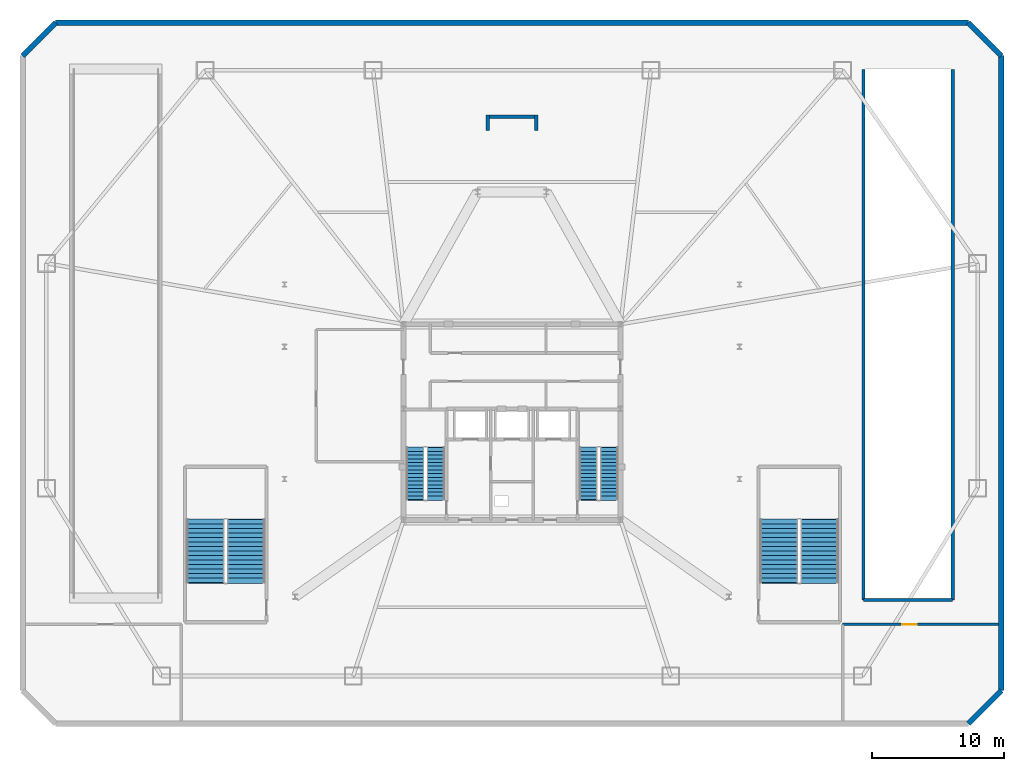
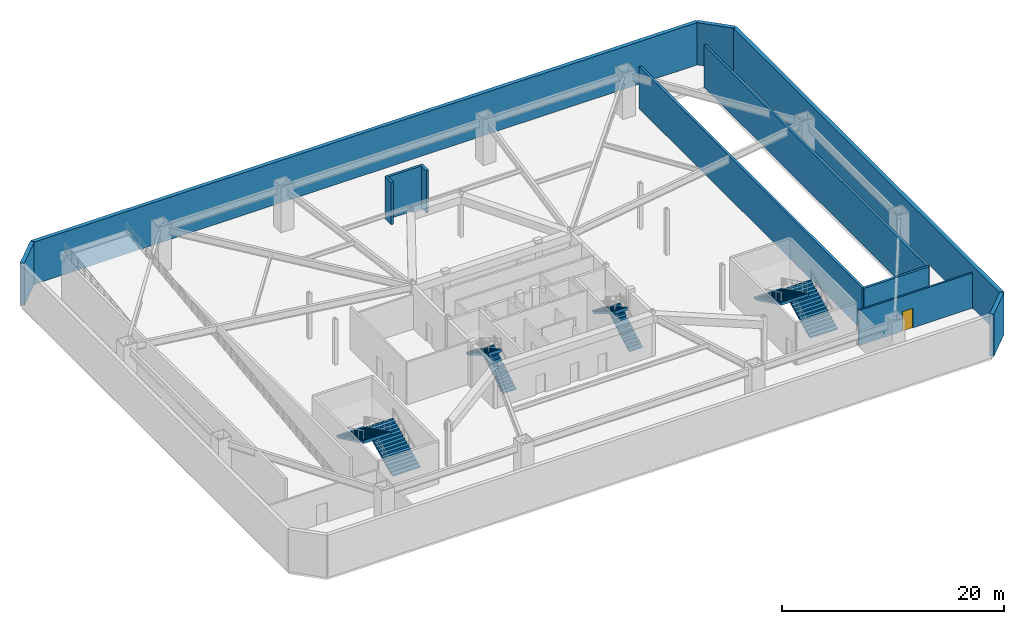
# One storey, part 7 of 9: 12 walls, 8 stair flights, 1 door, 1 opening, 4 elements without a shape of their own.
"""IFC4 building model written with IfcOpenShell, lengths in metres."""

from ifc_helpers import new_model, si_unit, direction, frame, frame_2d, origin, place, context, subcontext, project, spatial, polyline, rectangle, outline, extrude, material, layer, layer_set, type_object, element, fill, aggregate, save


model = new_model("IFC4")

# Units and contexts
model_context = context("Model", 3, precision=1e-05, world=origin(), true_north=direction((0.0, 1.0)))
body_context = subcontext(model_context, "Body", "Model", "MODEL_VIEW")
ifc_project = project(units=[si_unit("LENGTHUNIT", "METRE"), si_unit("AREAUNIT", "SQUARE_METRE"), si_unit("VOLUMEUNIT", "CUBIC_METRE"), si_unit("PLANEANGLEUNIT", "RADIAN"), si_unit("MASSUNIT", "GRAM", prefix="KILO")], contexts=[model_context])

# Site, building, storey
site_placement = place(None, origin())
site = spatial("IfcSite", under=ifc_project, at=site_placement, CompositionType="ELEMENT")
building_placement = place(site_placement, origin())
building = spatial("IfcBuilding", under=site, at=building_placement, Name="Varakhsha Concourse Tower", CompositionType="ELEMENT")
storey_placement = place(building_placement, frame((0.0, 0.0, -5.0)))
storey = spatial("IfcBuildingStorey", under=building, at=storey_placement, Name="B01", CompositionType="ELEMENT", Elevation=-5.0)

# Walls
ifc_material_1 = material(Name="Concrete fc 45 MPa", Category="concrete")
ifc_layer_1 = layer(ifc_material_1, 0.39990234375, Name="WL-BSMT-400")
ifc_layer_set_1 = layer_set([ifc_layer_1], Name="Concrete fc 45 MPa")
wall_type_1 = type_object("IfcWallType", Name="WL-BSMT-400", PredefinedType="USERDEFINED", material=ifc_layer_set_1)
wall_1_placement = place(storey_placement, frame((74.5, 1.0, 0.0), z_axis=(0.0, 0.0, 1.0), x_axis=(0.707106781187, 0.707106781187, 0.0)))
element("IfcWall", 1, at=wall_1_placement, inside=storey, type_object=wall_type_1, Name="B01 Perimeter Basement Retaining Wall 02", ObjectType="RETAINING WALL", PredefinedType="USERDEFINED", context=body_context, shape_type="SweptSolid", body=[
    extrude(rectangle(XDim=3.53564453125, YDim=0.39990234375, at=frame_2d((1.767822265625, 0.0))), origin(), (0.0, 0.0, 1.0), 4.64990234375),
])
wall_2_placement = place(storey_placement, frame((77.0, 3.5, 0.0), z_axis=(0.0, 0.0, 1.0), x_axis=(0.0, 1.0, 0.0)))
element("IfcWall", 2, at=wall_2_placement, inside=storey, type_object=wall_type_1, Name="B01 Perimeter Basement Retaining Wall 03", ObjectType="RETAINING WALL", PredefinedType="USERDEFINED", context=body_context, shape_type="SweptSolid", body=[
    extrude(rectangle(XDim=48.0, YDim=0.39990234375, at=frame_2d((24.0, 0.0))), origin(), (0.0, 0.0, 1.0), 4.64990234375),
])
wall_3_placement = place(storey_placement, frame((77.0, 51.5, 0.0), z_axis=(0.0, 0.0, 1.0), x_axis=(-0.707106781187, 0.707106781187, 0.0)))
element("IfcWall", 3, at=wall_3_placement, inside=storey, type_object=wall_type_1, Name="B01 Perimeter Basement Retaining Wall 04", ObjectType="RETAINING WALL", PredefinedType="USERDEFINED", context=body_context, shape_type="SweptSolid", body=[
    extrude(rectangle(XDim=3.53564453125, YDim=0.39990234375, at=frame_2d((1.767822265625, 0.0))), origin(), (0.0, 0.0, 1.0), 4.64990234375),
])
wall_4_placement = place(storey_placement, frame((74.5, 54.0, 0.0), z_axis=(0.0, 0.0, 1.0), x_axis=(-1.0, 0.0, 0.0)))
element("IfcWall", 4, at=wall_4_placement, inside=storey, type_object=wall_type_1, Name="B01 Perimeter Basement Retaining Wall 05", ObjectType="RETAINING WALL", PredefinedType="USERDEFINED", context=body_context, shape_type="SweptSolid", body=[
    extrude(rectangle(XDim=69.0, YDim=0.39990234375, at=frame_2d((34.5, 0.0))), origin(), (0.0, 0.0, 1.0), 4.64990234375),
])
wall_5_placement = place(storey_placement, frame((5.5, 54.0, 0.0), z_axis=(0.0, 0.0, 1.0), x_axis=(-0.707106781187, -0.707106781187, 0.0)))
element("IfcWall", 5, at=wall_5_placement, inside=storey, type_object=wall_type_1, Name="B01 Perimeter Basement Retaining Wall 06", ObjectType="RETAINING WALL", PredefinedType="USERDEFINED", context=body_context, shape_type="SweptSolid", body=[
    extrude(rectangle(XDim=3.53564453125, YDim=0.39990234375, at=frame_2d((1.767822265625, 0.0))), origin(), (0.0, 0.0, 1.0), 4.64990234375),
])

# Wall, opening, door
ifc_material_2 = material(Name="Fire-Rated Type X Gypsum Partition Assembly", Category="gypsum")
ifc_layer_2 = layer(ifc_material_2, 0.179931640625, Name="WL-PART-180")
ifc_layer_set_2 = layer_set([ifc_layer_2], Name="Fire-Rated Type X Gypsum Partition Assembly")
wall_type_2 = type_object("IfcWallType", Name="WL-PART-180", PredefinedType="PARTITIONING", material=ifc_layer_set_2)
wall_6_placement = place(storey_placement, frame((65.0, 8.5, 0.0), z_axis=(0.0, 0.0, 1.0), x_axis=(1.0, 0.0, 0.0)))
wall_6 = element("IfcWall", 6, at=wall_6_placement, inside=storey, type_object=wall_type_2, Name="B01 Wall BWALL-PLB-B01", PredefinedType="PARTITIONING", context=body_context, shape_type="SweptSolid", body=[
    extrude(rectangle(XDim=11.800048828125, YDim=0.179931640625, at=frame_2d((5.89990234375, 0.0))), origin(), (0.0, 0.0, 1.0), 3.861083984375),
])
opening_placement = place(wall_6_placement, frame((4.5, 0.0, 0.0)))
opening = element("IfcOpeningElement", 7, at=opening_placement, cuts=wall_6, Name="Opening DF-02", PredefinedType="OPENING", context=body_context, shape_type="SweptSolid", body=[
    extrude(rectangle(XDim=1.10009765625, YDim=2.14990234375, at=frame_2d((0.550048828125, 1.074951171875))), frame((0.0, 0.099853515625, 0.0), z_axis=(0.0, -1.0, 0.0), x_axis=(1.0, 0.0, 0.0)), (0.0, 0.0, 1.0), 0.199951171875),
])
ifc_material_3 = material(Name="Hollow Galvanised Steel Fire Door Assembly", Category="steel")
door_type = type_object("IfcDoorType", Name="DR-FD90-1100", OperationType="NOTDEFINED", PredefinedType="DOOR", material=ifc_material_3)
door_placement = place(opening_placement, origin())
door = element("IfcDoor", 8, at=door_placement, inside=storey, type_object=door_type, Name="B01 Domestic Fire Pump and Water Tank Room Door", OperationType="SINGLE_SWING_LEFT", OverallHeight=2.14990234375, OverallWidth=1.10009765625, PredefinedType="DOOR", context=body_context, shape_type="SweptSolid", body=[
    extrude(rectangle(XDim=1.10009765625, YDim=2.14990234375, at=frame_2d((0.550048828125, 1.074951171875))), frame((0.0, 0.02490234375, 0.0), z_axis=(0.0, -1.0, 0.0), x_axis=(1.0, 0.0, 0.0)), (0.0, 0.0, 1.0), 0.050048828125),
])
fill(opening, door)

# Walls
ifc_layer_3 = layer(ifc_material_1, 0.25, Name="WL-STAIR-250")
ifc_layer_set_3 = layer_set([ifc_layer_3], Name="Concrete fc 45 MPa")
wall_type_3 = type_object("IfcWallType", Name="WL-STAIR-250", PredefinedType="SHEAR", material=ifc_layer_set_3)
for number, where, z_axis, x_axis, name in (
    (9, (66.580078125, 10.35009765625, 0.0), (0.0, 0.0, 1.0), (0.0, 1.0, 0.0), "B01 Wall RMPW-B01-EW"),
    (10, (73.320068359375, 10.35009765625, 0.0), (0.0, 0.0, 1.0), (0.0, 1.0, 0.0), "B01 Wall RMPW-B01-EE"),
):
    element("IfcWall", number, at=place(storey_placement, frame(where, z_axis=z_axis, x_axis=x_axis)), inside=storey, type_object=wall_type_3, Name=name, PredefinedType="SHEAR", context=body_context, shape_type="SweptSolid", body=[
        extrude(rectangle(XDim=40.099853515625, YDim=0.25, at=frame_2d((20.0498046875, 0.0))), origin(), (0.0, 0.0, 1.0), 4.64990234375),
    ])
wall_7_placement = place(storey_placement, frame((66.580078125, 10.35009765625, 0.0), z_axis=(0.0, 0.0, 1.0), x_axis=(1.0, 0.0, 0.0)))
element("IfcWall", 11, at=wall_7_placement, inside=storey, type_object=wall_type_3, Name="B01 Wall RMPW-B01-ES", PredefinedType="SHEAR", context=body_context, shape_type="SweptSolid", body=[
    extrude(rectangle(XDim=6.739990234375, YDim=0.25, at=frame_2d((3.3701171875, 0.0))), origin(), (0.0, 0.0, 1.0), 4.64990234375),
])
wall_8_placement = place(storey_placement, frame((38.300048828125, 46.875, 0.0), z_axis=(0.0, 0.0, 1.0), x_axis=(1.0, 0.0, 0.0)))
element("IfcWall", 12, at=wall_8_placement, inside=storey, type_object=wall_type_3, Name="B01 Wall SWALL-ST5-N-B01", PredefinedType="SHEAR", context=body_context, shape_type="SweptSolid", body=[
    extrude(rectangle(XDim=3.39990234375, YDim=0.25, at=frame_2d((1.699951171875, 0.0))), origin(), (0.0, 0.0, 1.0), 4.64990234375),
])
for number, where, z_axis, x_axis, name in (
    (13, (38.175048828125, 45.85009765625, 0.0), (0.0, 0.0, 1.0), (0.0, 1.0, 0.0), "B01 Wall SWALL-ST5-W-B01"),
    (14, (41.824951171875, 45.85009765625, 0.0), (0.0, 0.0, 1.0), (0.0, 1.0, 0.0), "B01 Wall SWALL-ST5-E-B01"),
):
    element("IfcWall", number, at=place(storey_placement, frame(where, z_axis=z_axis, x_axis=x_axis)), inside=storey, type_object=wall_type_3, Name=name, PredefinedType="SHEAR", context=body_context, shape_type="SweptSolid", body=[
        extrude(rectangle(XDim=1.14990234375, YDim=0.25, at=frame_2d((0.574951171875, 0.0))), origin(), (0.0, 0.0, 1.0), 4.64990234375),
    ])

# Stair, stair flights
stair_type_1 = type_object("IfcStairType", Name="ST-DOGLEG-1360", PredefinedType="HALF_TURN_STAIR", material=ifc_material_1)
stair_1_placement = place(storey_placement, origin())
stair_1 = element("IfcStair", 15, at=stair_1_placement, inside=storey, type_object=stair_type_1, Name="B01 Protected Exit Stair ST1", PredefinedType="HALF_TURN_STAIR")
stair_flight_type_1 = type_object("IfcStairFlightType", Name="STF-1360-R1667", PredefinedType="STRAIGHT", material=ifc_material_1)
stair_flight_1_placement = place(storey_placement, frame((34.239990234375, 17.93994140625, 0.0), z_axis=(0.0, 0.0, 1.0), x_axis=(0.0, 1.0, 0.0)))
stair_flight_1 = element("IfcStairFlight", 16, at=stair_flight_1_placement, type_object=stair_flight_type_1, Name="ST1 flight 1", NumberOfRisers=15, NumberOfTreads=14, PredefinedType="STRAIGHT", RiserHeight=0.166666667, TreadLength=0.28, context=body_context, shape_type="SweptSolid", body=[
    extrude(outline(polyline([(-0.06005859375, 0.0), (-0.06005859375, 0.166748046875), (0.0, 0.166748046875), (0.280029296875, 0.166748046875), (0.280029296875, 0.333251953125), (0.56005859375, 0.333251953125), (0.56005859375, 0.5), (0.840087890625, 0.5), (0.840087890625, 0.666748046875), (1.1201171875, 0.666748046875), (1.1201171875, 0.833251953125), (1.39990234375, 0.833251953125), (1.39990234375, 1.0), (1.679931640625, 1.0), (1.679931640625, 1.166748046875), (1.9599609375, 1.166748046875), (1.9599609375, 1.333251953125), (2.239990234375, 1.333251953125), (2.239990234375, 1.5), (2.52001953125, 1.5), (2.52001953125, 1.666748046875), (2.800048828125, 1.666748046875), (2.800048828125, 1.833251953125), (3.080078125, 1.833251953125), (3.080078125, 2.0), (3.360107421875, 2.0), (3.360107421875, 2.166748046875), (3.639892578125, 2.166748046875), (3.639892578125, 2.333251953125), (3.919921875, 2.333251953125), (3.919921875, 2.5), (3.97998046875, 2.5), (3.97998046875, 2.158935546875), (3.919921875, 2.158935546875), (0.29296875, 0.0), (-0.06005859375, 0.0)])), frame((0.0, 0.68017578125, 0.0), z_axis=(0.0, -1.0, 0.0), x_axis=(1.0, 0.0, 0.0)), (0.0, 0.0, 1.0), 1.360107421875),
])
stair_flight_2_placement = place(storey_placement, frame((32.679931640625, 21.860107421875, 2.5), z_axis=(0.0, 0.0, 1.0), x_axis=(0.0, -1.0, 0.0)))
stair_flight_2 = element("IfcStairFlight", 17, at=stair_flight_2_placement, type_object=stair_flight_type_1, Name="ST1 flight 2", NumberOfRisers=15, NumberOfTreads=14, PredefinedType="STRAIGHT", RiserHeight=0.166666667, TreadLength=0.28, context=body_context, shape_type="SweptSolid", body=[
    extrude(outline(polyline([(-0.06005859375, 0.0), (-0.06005859375, 0.166748046875), (0.0, 0.166748046875), (0.280029296875, 0.166748046875), (0.280029296875, 0.333251953125), (0.56005859375, 0.333251953125), (0.56005859375, 0.5), (0.840087890625, 0.5), (0.840087890625, 0.666748046875), (1.1201171875, 0.666748046875), (1.1201171875, 0.833251953125), (1.39990234375, 0.833251953125), (1.39990234375, 1.0), (1.679931640625, 1.0), (1.679931640625, 1.166748046875), (1.9599609375, 1.166748046875), (1.9599609375, 1.333251953125), (2.239990234375, 1.333251953125), (2.239990234375, 1.5), (2.52001953125, 1.5), (2.52001953125, 1.666748046875), (2.800048828125, 1.666748046875), (2.800048828125, 1.833251953125), (3.080078125, 1.833251953125), (3.080078125, 2.0), (3.360107421875, 2.0), (3.360107421875, 2.166748046875), (3.639892578125, 2.166748046875), (3.639892578125, 2.333251953125), (3.919921875, 2.333251953125), (3.919921875, 2.5), (3.97998046875, 2.5), (3.97998046875, 2.158935546875), (3.919921875, 2.158935546875), (0.29296875, 0.0), (-0.06005859375, 0.0)])), frame((0.0, 0.68017578125, 0.0), z_axis=(0.0, -1.0, 0.0), x_axis=(1.0, 0.0, 0.0)), (0.0, 0.0, 1.0), 1.360107421875),
])
aggregate(stair_1, [stair_flight_1, stair_flight_2])

stair_2_placement = place(storey_placement, origin())
stair_2 = element("IfcStair", 18, at=stair_2_placement, inside=storey, type_object=stair_type_1, Name="B01 Protected Exit Stair ST2", PredefinedType="HALF_TURN_STAIR")
stair_flight_3_placement = place(storey_placement, frame((47.340087890625, 17.93994140625, 0.0), z_axis=(0.0, 0.0, 1.0), x_axis=(0.0, 1.0, 0.0)))
stair_flight_3 = element("IfcStairFlight", 19, at=stair_flight_3_placement, type_object=stair_flight_type_1, Name="ST2 flight 1", NumberOfRisers=15, NumberOfTreads=14, PredefinedType="STRAIGHT", RiserHeight=0.166666667, TreadLength=0.28, context=body_context, shape_type="SweptSolid", body=[
    extrude(outline(polyline([(-0.06005859375, 0.0), (-0.06005859375, 0.166748046875), (0.0, 0.166748046875), (0.280029296875, 0.166748046875), (0.280029296875, 0.333251953125), (0.56005859375, 0.333251953125), (0.56005859375, 0.5), (0.840087890625, 0.5), (0.840087890625, 0.666748046875), (1.1201171875, 0.666748046875), (1.1201171875, 0.833251953125), (1.39990234375, 0.833251953125), (1.39990234375, 1.0), (1.679931640625, 1.0), (1.679931640625, 1.166748046875), (1.9599609375, 1.166748046875), (1.9599609375, 1.333251953125), (2.239990234375, 1.333251953125), (2.239990234375, 1.5), (2.52001953125, 1.5), (2.52001953125, 1.666748046875), (2.800048828125, 1.666748046875), (2.800048828125, 1.833251953125), (3.080078125, 1.833251953125), (3.080078125, 2.0), (3.360107421875, 2.0), (3.360107421875, 2.166748046875), (3.639892578125, 2.166748046875), (3.639892578125, 2.333251953125), (3.919921875, 2.333251953125), (3.919921875, 2.5), (3.97998046875, 2.5), (3.97998046875, 2.158935546875), (3.919921875, 2.158935546875), (0.29296875, 0.0), (-0.06005859375, 0.0)])), frame((0.0, 0.68017578125, 0.0), z_axis=(0.0, -1.0, 0.0), x_axis=(1.0, 0.0, 0.0)), (0.0, 0.0, 1.0), 1.360107421875),
])
stair_flight_4_placement = place(storey_placement, frame((45.780029296875, 21.860107421875, 2.5), z_axis=(0.0, 0.0, 1.0), x_axis=(0.0, -1.0, 0.0)))
stair_flight_4 = element("IfcStairFlight", 20, at=stair_flight_4_placement, type_object=stair_flight_type_1, Name="ST2 flight 2", NumberOfRisers=15, NumberOfTreads=14, PredefinedType="STRAIGHT", RiserHeight=0.166666667, TreadLength=0.28, context=body_context, shape_type="SweptSolid", body=[
    extrude(outline(polyline([(-0.06005859375, 0.0), (-0.06005859375, 0.166748046875), (0.0, 0.166748046875), (0.280029296875, 0.166748046875), (0.280029296875, 0.333251953125), (0.56005859375, 0.333251953125), (0.56005859375, 0.5), (0.840087890625, 0.5), (0.840087890625, 0.666748046875), (1.1201171875, 0.666748046875), (1.1201171875, 0.833251953125), (1.39990234375, 0.833251953125), (1.39990234375, 1.0), (1.679931640625, 1.0), (1.679931640625, 1.166748046875), (1.9599609375, 1.166748046875), (1.9599609375, 1.333251953125), (2.239990234375, 1.333251953125), (2.239990234375, 1.5), (2.52001953125, 1.5), (2.52001953125, 1.666748046875), (2.800048828125, 1.666748046875), (2.800048828125, 1.833251953125), (3.080078125, 1.833251953125), (3.080078125, 2.0), (3.360107421875, 2.0), (3.360107421875, 2.166748046875), (3.639892578125, 2.166748046875), (3.639892578125, 2.333251953125), (3.919921875, 2.333251953125), (3.919921875, 2.5), (3.97998046875, 2.5), (3.97998046875, 2.158935546875), (3.919921875, 2.158935546875), (0.29296875, 0.0), (-0.06005859375, 0.0)])), frame((0.0, 0.68017578125, 0.0), z_axis=(0.0, -1.0, 0.0), x_axis=(1.0, 0.0, 0.0)), (0.0, 0.0, 1.0), 1.360107421875),
])
aggregate(stair_2, [stair_flight_3, stair_flight_4])

stair_type_2 = type_object("IfcStairType", Name="ST-DOGLEG-2860", PredefinedType="HALF_TURN_STAIR", material=ifc_material_1)
stair_3_placement = place(storey_placement, origin())
stair_3 = element("IfcStair", 21, at=stair_3_placement, inside=storey, type_object=stair_type_2, Name="B01 Protected Exit Stair ST3", PredefinedType="HALF_TURN_STAIR")
stair_flight_type_2 = type_object("IfcStairFlightType", Name="STF-2860-R1667", PredefinedType="STRAIGHT", material=ifc_material_1)
stair_flight_5_placement = place(storey_placement, frame((19.889892578125, 11.659912109375, 0.0), z_axis=(0.0, 0.0, 1.0), x_axis=(0.0, 1.0, 0.0)))
stair_flight_5 = element("IfcStairFlight", 22, at=stair_flight_5_placement, type_object=stair_flight_type_2, Name="ST3 flight 1", NumberOfRisers=15, NumberOfTreads=14, PredefinedType="STRAIGHT", RiserHeight=0.166666667, TreadLength=0.34, context=body_context, shape_type="SweptSolid", body=[
    extrude(outline(polyline([(-0.06005859375, 0.0), (-0.06005859375, 0.166748046875), (0.0, 0.166748046875), (0.340087890625, 0.166748046875), (0.340087890625, 0.333251953125), (0.679931640625, 0.333251953125), (0.679931640625, 0.5), (1.02001953125, 0.5), (1.02001953125, 0.666748046875), (1.360107421875, 0.666748046875), (1.360107421875, 0.833251953125), (1.699951171875, 0.833251953125), (1.699951171875, 1.0), (2.0400390625, 1.0), (2.0400390625, 1.166748046875), (2.3798828125, 1.166748046875), (2.3798828125, 1.333251953125), (2.719970703125, 1.333251953125), (2.719970703125, 1.5), (3.06005859375, 1.5), (3.06005859375, 1.666748046875), (3.39990234375, 1.666748046875), (3.39990234375, 1.833251953125), (3.739990234375, 1.833251953125), (3.739990234375, 2.0), (4.080078125, 2.0), (4.080078125, 2.166748046875), (4.419921875, 2.166748046875), (4.419921875, 2.333251953125), (4.760009765625, 2.333251953125), (4.760009765625, 2.5), (4.820068359375, 2.5), (4.820068359375, 2.16650390625), (4.760009765625, 2.16650390625), (0.340576171875, 0.0), (-0.06005859375, 0.0)])), frame((0.0, 1.43017578125, 0.0), z_axis=(0.0, -1.0, 0.0), x_axis=(1.0, 0.0, 0.0)), (0.0, 0.0, 1.0), 2.860107421875),
])
stair_flight_6_placement = place(storey_placement, frame((16.830078125, 16.419921875, 2.5), z_axis=(0.0, 0.0, 1.0), x_axis=(0.0, -1.0, 0.0)))
stair_flight_6 = element("IfcStairFlight", 23, at=stair_flight_6_placement, type_object=stair_flight_type_2, Name="ST3 flight 2", NumberOfRisers=15, NumberOfTreads=14, PredefinedType="STRAIGHT", RiserHeight=0.166666667, TreadLength=0.34, context=body_context, shape_type="SweptSolid", body=[
    extrude(outline(polyline([(-0.06005859375, 0.0), (-0.06005859375, 0.166748046875), (0.0, 0.166748046875), (0.340087890625, 0.166748046875), (0.340087890625, 0.333251953125), (0.679931640625, 0.333251953125), (0.679931640625, 0.5), (1.02001953125, 0.5), (1.02001953125, 0.666748046875), (1.360107421875, 0.666748046875), (1.360107421875, 0.833251953125), (1.699951171875, 0.833251953125), (1.699951171875, 1.0), (2.0400390625, 1.0), (2.0400390625, 1.166748046875), (2.3798828125, 1.166748046875), (2.3798828125, 1.333251953125), (2.719970703125, 1.333251953125), (2.719970703125, 1.5), (3.06005859375, 1.5), (3.06005859375, 1.666748046875), (3.39990234375, 1.666748046875), (3.39990234375, 1.833251953125), (3.739990234375, 1.833251953125), (3.739990234375, 2.0), (4.080078125, 2.0), (4.080078125, 2.166748046875), (4.419921875, 2.166748046875), (4.419921875, 2.333251953125), (4.760009765625, 2.333251953125), (4.760009765625, 2.5), (4.820068359375, 2.5), (4.820068359375, 2.16650390625), (4.760009765625, 2.16650390625), (0.340576171875, 0.0), (-0.06005859375, 0.0)])), frame((0.0, 1.43017578125, 0.0), z_axis=(0.0, -1.0, 0.0), x_axis=(1.0, 0.0, 0.0)), (0.0, 0.0, 1.0), 2.860107421875),
])
aggregate(stair_3, [stair_flight_5, stair_flight_6])

stair_4_placement = place(storey_placement, origin())
stair_4 = element("IfcStair", 24, at=stair_4_placement, inside=storey, type_object=stair_type_2, Name="B01 Protected Exit Stair ST4", PredefinedType="HALF_TURN_STAIR")
stair_flight_7_placement = place(storey_placement, frame((63.25, 11.659912109375, 0.0), z_axis=(0.0, 0.0, 1.0), x_axis=(0.0, 1.0, 0.0)))
stair_flight_7 = element("IfcStairFlight", 25, at=stair_flight_7_placement, type_object=stair_flight_type_2, Name="ST4 flight 1", NumberOfRisers=15, NumberOfTreads=14, PredefinedType="STRAIGHT", RiserHeight=0.166666667, TreadLength=0.34, context=body_context, shape_type="SweptSolid", body=[
    extrude(outline(polyline([(-0.06005859375, 0.0), (-0.06005859375, 0.166748046875), (0.0, 0.166748046875), (0.340087890625, 0.166748046875), (0.340087890625, 0.333251953125), (0.679931640625, 0.333251953125), (0.679931640625, 0.5), (1.02001953125, 0.5), (1.02001953125, 0.666748046875), (1.360107421875, 0.666748046875), (1.360107421875, 0.833251953125), (1.699951171875, 0.833251953125), (1.699951171875, 1.0), (2.0400390625, 1.0), (2.0400390625, 1.166748046875), (2.3798828125, 1.166748046875), (2.3798828125, 1.333251953125), (2.719970703125, 1.333251953125), (2.719970703125, 1.5), (3.06005859375, 1.5), (3.06005859375, 1.666748046875), (3.39990234375, 1.666748046875), (3.39990234375, 1.833251953125), (3.739990234375, 1.833251953125), (3.739990234375, 2.0), (4.080078125, 2.0), (4.080078125, 2.166748046875), (4.419921875, 2.166748046875), (4.419921875, 2.333251953125), (4.760009765625, 2.333251953125), (4.760009765625, 2.5), (4.820068359375, 2.5), (4.820068359375, 2.16650390625), (4.760009765625, 2.16650390625), (0.340576171875, 0.0), (-0.06005859375, 0.0)])), frame((0.0, 1.43017578125, 0.0), z_axis=(0.0, -1.0, 0.0), x_axis=(1.0, 0.0, 0.0)), (0.0, 0.0, 1.0), 2.860107421875),
])
stair_flight_8_placement = place(storey_placement, frame((60.18994140625, 16.419921875, 2.5), z_axis=(0.0, 0.0, 1.0), x_axis=(0.0, -1.0, 0.0)))
stair_flight_8 = element("IfcStairFlight", 26, at=stair_flight_8_placement, type_object=stair_flight_type_2, Name="ST4 flight 2", NumberOfRisers=15, NumberOfTreads=14, PredefinedType="STRAIGHT", RiserHeight=0.166666667, TreadLength=0.34, context=body_context, shape_type="SweptSolid", body=[
    extrude(outline(polyline([(-0.06005859375, 0.0), (-0.06005859375, 0.166748046875), (0.0, 0.166748046875), (0.340087890625, 0.166748046875), (0.340087890625, 0.333251953125), (0.679931640625, 0.333251953125), (0.679931640625, 0.5), (1.02001953125, 0.5), (1.02001953125, 0.666748046875), (1.360107421875, 0.666748046875), (1.360107421875, 0.833251953125), (1.699951171875, 0.833251953125), (1.699951171875, 1.0), (2.0400390625, 1.0), (2.0400390625, 1.166748046875), (2.3798828125, 1.166748046875), (2.3798828125, 1.333251953125), (2.719970703125, 1.333251953125), (2.719970703125, 1.5), (3.06005859375, 1.5), (3.06005859375, 1.666748046875), (3.39990234375, 1.666748046875), (3.39990234375, 1.833251953125), (3.739990234375, 1.833251953125), (3.739990234375, 2.0), (4.080078125, 2.0), (4.080078125, 2.166748046875), (4.419921875, 2.166748046875), (4.419921875, 2.333251953125), (4.760009765625, 2.333251953125), (4.760009765625, 2.5), (4.820068359375, 2.5), (4.820068359375, 2.16650390625), (4.760009765625, 2.16650390625), (0.340576171875, 0.0), (-0.06005859375, 0.0)])), frame((0.0, 1.43017578125, 0.0), z_axis=(0.0, -1.0, 0.0), x_axis=(1.0, 0.0, 0.0)), (0.0, 0.0, 1.0), 2.860107421875),
])
aggregate(stair_4, [stair_flight_7, stair_flight_8])

save(model, "model.ifc")
